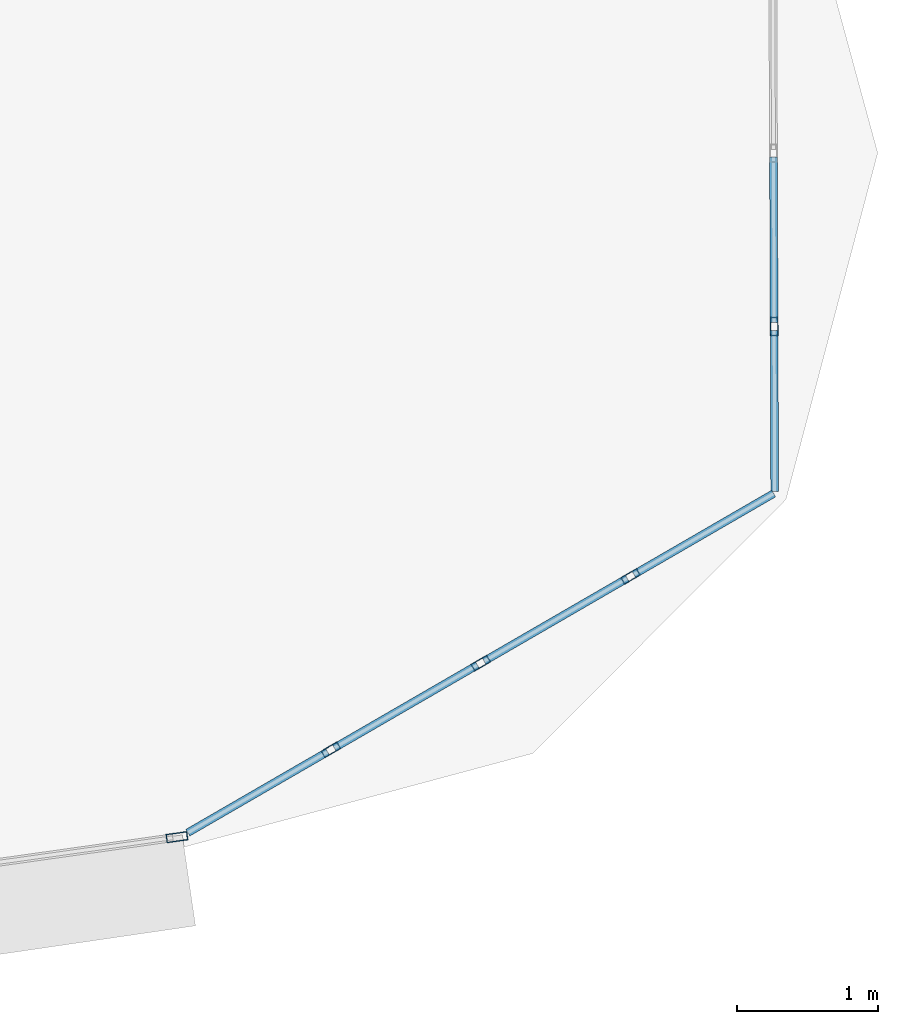
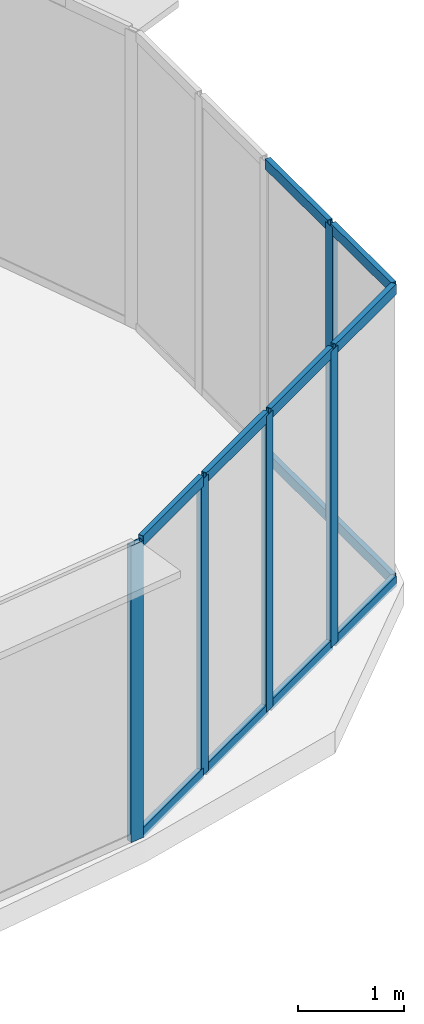
# One storey, part 24 of 42: 17 members, 3 elements without a shape of their own.
"""IFC4 building model written with IfcOpenShell, lengths in metres."""

from ifc_helpers import new_model, si_unit, direction, frame, origin, origin_2d, place, context, subcontext, project, spatial, hollow_rectangle, extrude, source, transform, mapped, material, layer, layer_set, material_profile, profile_set, type_object, element, aggregate, save


model = new_model("IFC4")

# Units and contexts
model_context = context("Model", 3, precision=1e-05, world=origin(), true_north=direction((0.0, 1.0)))
body_context = subcontext(model_context, "Body", "Model", "MODEL_VIEW")
ifc_project = project(units=[si_unit("LENGTHUNIT", "METRE"), si_unit("AREAUNIT", "SQUARE_METRE"), si_unit("VOLUMEUNIT", "CUBIC_METRE"), si_unit("PLANEANGLEUNIT", "RADIAN"), si_unit("MASSUNIT", "GRAM", prefix="KILO"), si_unit("THERMODYNAMICTEMPERATUREUNIT", "KELVIN"), si_unit("POWERUNIT", "WATT")], contexts=[model_context])

# Site, building, storey
site_placement = place(None, origin())
site = spatial("IfcSite", under=ifc_project, at=site_placement, CompositionType="ELEMENT")
building_placement = place(site_placement, origin())
building = spatial("IfcBuilding", under=site, at=building_placement, Name="Yunzhuo Pagoda Commons", CompositionType="ELEMENT")
storey_placement = place(building_placement, frame((0.0, 0.0, 151.909912109375)))
storey = spatial("IfcBuildingStorey", under=building, at=storey_placement, Name="L38", CompositionType="ELEMENT", Elevation=151.909912109375)

# Curtain wall, member
ifc_material = material(Name="Anodized aluminium 6063-T6", Category="aluminium")
ifc_layer_1 = layer(ifc_material, 0.14990234375)
ifc_layer_set_1 = layer_set([ifc_layer_1], Name="Anodized aluminium 6063-T6")
curtain_wall_type_1 = type_object("IfcCurtainWallType", Name="CW-MID Mid-Zone Ribbon Curtain Wall", PredefinedType="NOTDEFINED", material=ifc_layer_set_1)
curtain_wall_1_placement = place(storey_placement, origin())
curtain_wall_1 = element("IfcCurtainWall", 1, at=curtain_wall_1_placement, inside=storey, type_object=curtain_wall_type_1, Name="L38 curtain wall CW-L38-F1B5", PredefinedType="NOTDEFINED")
ifc_material_profile_1 = material_profile(ifc_material, hollow_rectangle(XDim=0.06005859375, YDim=0.14990234375, WallThickness=0.00390625, at=origin_2d()), Name="Anodized aluminium 6063-T6")
ifc_profile_set_1 = profile_set([ifc_material_profile_1], Name="Anodized aluminium 6063-T6")
member_type_1 = type_object("IfcMemberType", Name="CW-MID-M Mullion RHS 150x60x4", PredefinedType="MULLION", material=ifc_profile_set_1)
shared_shape_1 = source(origin(), body_context, "Body", "SweptSolid", [
    extrude(hollow_rectangle(XDim=0.06005859375, YDim=0.14990234375, WallThickness=0.00390625, at=origin_2d()), origin(), (0.0, 0.0, 1.0), 3.420166015625),
])
member_1_placement = place(storey_placement, frame((83.2685546875, 16.718994140625, 0.0), z_axis=(0.0, 0.0, 1.0), x_axis=(-0.13962976996, 0.990203780714, 0.0)))
member_1 = element("IfcMember", 2, at=member_1_placement, type_object=member_type_1, Name="CW mullion 2", PredefinedType="MULLION", context=body_context, shape_type="MappedRepresentation", body=[
    mapped(shared_shape_1, transform((0.0, 0.0, 0.0), scale=1.0)),
])
aggregate(curtain_wall_1, [member_1])

# Curtain wall, members
ifc_layer_2 = layer(ifc_material, 0.1298828125)
ifc_layer_set_2 = layer_set([ifc_layer_2], Name="Anodized aluminium 6063-T6")
curtain_wall_type_2 = type_object("IfcCurtainWallType", Name="CW-VTX Rounded Corner Curtain Wall", PredefinedType="NOTDEFINED", material=ifc_layer_set_2)
curtain_wall_2_placement = place(storey_placement, origin())
curtain_wall_2 = element("IfcCurtainWall", 3, at=curtain_wall_2_placement, inside=storey, type_object=curtain_wall_type_2, Name="L38 curtain wall CW-L38-VTX2S1", PredefinedType="NOTDEFINED")
ifc_material_profile_2 = material_profile(ifc_material, hollow_rectangle(XDim=0.054931640625, YDim=0.1298828125, WallThickness=0.00341796875, at=origin_2d()), Name="Anodized aluminium 6063-T6")
ifc_profile_set_2 = profile_set([ifc_material_profile_2], Name="Anodized aluminium 6063-T6")
member_type_2 = type_object("IfcMemberType", Name="CW-VTX-M Mullion RHS 130x55x3.5", PredefinedType="MULLION", material=ifc_profile_set_2)
shared_shape_2 = source(origin(), body_context, "Body", "SweptSolid", [
    extrude(hollow_rectangle(XDim=0.054931640625, YDim=0.1298828125, WallThickness=0.00341796875, at=origin_2d()), origin(), (0.0, 0.0, 1.0), 3.420166015625),
])
member_2_placement = place(storey_placement, frame((84.357666015625, 17.336669921875, 0.0), z_axis=(0.0, 0.0, 1.0), x_axis=(-0.501034660762, 0.865427217457, 0.0)))
member_2 = element("IfcMember", 4, at=member_2_placement, type_object=member_type_2, Name="CW mullion 2", PredefinedType="MULLION", context=body_context, shape_type="MappedRepresentation", body=[
    mapped(shared_shape_2, transform((0.0, 0.0, 0.0), scale=1.0)),
])
member_3_placement = place(storey_placement, frame((85.417236328125, 17.949951171875, 0.0), z_axis=(0.0, 0.0, 1.0), x_axis=(-0.501034660762, 0.865427217457, 0.0)))
member_3 = element("IfcMember", 5, at=member_3_placement, type_object=member_type_2, Name="CW mullion 3", PredefinedType="MULLION", context=body_context, shape_type="MappedRepresentation", body=[
    mapped(shared_shape_2, transform((0.0, 0.0, 0.0), scale=1.0)),
])
member_4_placement = place(storey_placement, frame((86.476806640625, 18.5634765625, 0.0), z_axis=(0.0, 0.0, 1.0), x_axis=(-0.501034660762, 0.865427217457, 0.0)))
member_4 = element("IfcMember", 6, at=member_4_placement, type_object=member_type_2, Name="CW mullion 4", PredefinedType="MULLION", context=body_context, shape_type="MappedRepresentation", body=[
    mapped(shared_shape_2, transform((0.0, 0.0, 0.0), scale=1.0)),
])

# Curtain wall, member
curtain_wall_3_placement = place(storey_placement, origin())
curtain_wall_3 = element("IfcCurtainWall", 7, at=curtain_wall_3_placement, inside=storey, type_object=curtain_wall_type_2, Name="L38 curtain wall CW-L38-VTX2S2", PredefinedType="NOTDEFINED")
member_5_placement = place(storey_placement, frame((87.492431640625, 20.331787109375, 0.0), z_axis=(0.0, 0.0, 1.0), x_axis=(-0.999993542566, -0.00359372042, 0.0)))
member_5 = element("IfcMember", 8, at=member_5_placement, type_object=member_type_2, Name="CW mullion 2", PredefinedType="MULLION", context=body_context, shape_type="MappedRepresentation", body=[
    mapped(shared_shape_2, transform((0.0, 0.0, 0.0), scale=1.0)),
])

# Member
ifc_material_profile_3 = material_profile(ifc_material, hollow_rectangle(XDim=0.054931640625, YDim=0.1201171875, WallThickness=0.00341796875, at=origin_2d()), Name="Anodized aluminium 6063-T6")
ifc_profile_set_3 = profile_set([ifc_material_profile_3], Name="Anodized aluminium 6063-T6")
member_type_3 = type_object("IfcMemberType", Name="CW-VTX-T Transom RHS 120x55x3.5", PredefinedType="USERDEFINED", material=ifc_profile_set_3)
shared_shape_3 = source(origin(), body_context, "Body", "SweptSolid", [
    extrude(hollow_rectangle(XDim=0.054931640625, YDim=0.1201171875, WallThickness=0.00341796875, at=origin_2d()), origin(), (0.0, 0.0, 1.0), 1.141845703125),
])
member_6_placement = place(storey_placement, frame((83.345703125, 16.750732421875, 0.027587890625), z_axis=(0.865479953388, 0.500943559977, 0.0), x_axis=(-0.500943559977, 0.865479953388, 0.0)))
member_6 = element("IfcMember", 9, at=member_6_placement, type_object=member_type_3, Name="CW transom 1.1", ObjectType="TRANSOM", PredefinedType="USERDEFINED", context=body_context, shape_type="MappedRepresentation", body=[
    mapped(shared_shape_3, transform((0.0, 0.0, 0.0), scale=1.0)),
])

member_7_placement = place(storey_placement, frame((83.345703125, 16.750732421875, 3.392578125), z_axis=(0.865479953388, 0.500943559977, 0.0), x_axis=(-0.500943559977, 0.865479953388, 0.0)))
member_7 = element("IfcMember", 10, at=member_7_placement, type_object=member_type_3, Name="CW transom 1.2", ObjectType="TRANSOM", PredefinedType="USERDEFINED", context=body_context, shape_type="MappedRepresentation", body=[
    mapped(shared_shape_3, transform((0.0, 0.0, 0.0), scale=1.0)),
])

shared_shape_4 = source(origin(), body_context, "Body", "SweptSolid", [
    extrude(hollow_rectangle(XDim=0.054931640625, YDim=0.1201171875, WallThickness=0.00341796875, at=origin_2d()), origin(), (0.0, 0.0, 1.0), 1.16943359375),
])
member_8_placement = place(storey_placement, frame((84.381591796875, 17.350341796875, 0.027587890625), z_axis=(0.865402460801, 0.501077420005, 0.0), x_axis=(-0.501077420005, 0.865402460801, 0.0)))
member_8 = element("IfcMember", 11, at=member_8_placement, type_object=member_type_3, Name="CW transom 2.1", ObjectType="TRANSOM", PredefinedType="USERDEFINED", context=body_context, shape_type="MappedRepresentation", body=[
    mapped(shared_shape_4, transform((0.0, 0.0, 0.0), scale=1.0)),
])

member_9_placement = place(storey_placement, frame((84.381591796875, 17.350341796875, 3.392578125), z_axis=(0.865402460801, 0.501077420005, 0.0), x_axis=(-0.501077420005, 0.865402460801, 0.0)))
member_9 = element("IfcMember", 12, at=member_9_placement, type_object=member_type_3, Name="CW transom 2.2", ObjectType="TRANSOM", PredefinedType="USERDEFINED", context=body_context, shape_type="MappedRepresentation", body=[
    mapped(shared_shape_4, transform((0.0, 0.0, 0.0), scale=1.0)),
])

member_10_placement = place(storey_placement, frame((85.441162109375, 17.9638671875, 0.027587890625), z_axis=(0.865402460801, 0.501077420005, 0.0), x_axis=(-0.501077420005, 0.865402460801, 0.0)))
member_10 = element("IfcMember", 13, at=member_10_placement, type_object=member_type_3, Name="CW transom 3.1", ObjectType="TRANSOM", PredefinedType="USERDEFINED", context=body_context, shape_type="MappedRepresentation", body=[
    mapped(shared_shape_4, transform((0.0, 0.0, 0.0), scale=1.0)),
])

member_11_placement = place(storey_placement, frame((85.441162109375, 17.9638671875, 3.392578125), z_axis=(0.865402460801, 0.501077420005, 0.0), x_axis=(-0.501077420005, 0.865402460801, 0.0)))
member_11 = element("IfcMember", 14, at=member_11_placement, type_object=member_type_3, Name="CW transom 3.2", ObjectType="TRANSOM", PredefinedType="USERDEFINED", context=body_context, shape_type="MappedRepresentation", body=[
    mapped(shared_shape_4, transform((0.0, 0.0, 0.0), scale=1.0)),
])

shared_shape_5 = source(origin(), body_context, "Body", "SweptSolid", [
    extrude(hollow_rectangle(XDim=0.054931640625, YDim=0.1201171875, WallThickness=0.00341796875, at=origin_2d()), origin(), (0.0, 0.0, 1.0), 1.169677734375),
])
member_12_placement = place(storey_placement, frame((87.492431640625, 20.359130859375, 0.027587890625), z_axis=(-0.003965737965, 0.99999213643, 0.0), x_axis=(-0.99999213643, -0.003965737965, 0.0)))
member_12 = element("IfcMember", 15, at=member_12_placement, type_object=member_type_3, Name="CW transom 2.1", ObjectType="TRANSOM", PredefinedType="USERDEFINED", context=body_context, shape_type="MappedRepresentation", body=[
    mapped(shared_shape_5, transform((0.0, 0.0, 0.0), scale=1.0)),
])

member_13_placement = place(storey_placement, frame((87.492431640625, 20.359130859375, 3.392578125), z_axis=(-0.003965737965, 0.99999213643, 0.0), x_axis=(-0.99999213643, -0.003965737965, 0.0)))
member_13 = element("IfcMember", 16, at=member_13_placement, type_object=member_type_3, Name="CW transom 2.2", ObjectType="TRANSOM", PredefinedType="USERDEFINED", context=body_context, shape_type="MappedRepresentation", body=[
    mapped(shared_shape_5, transform((0.0, 0.0, 0.0), scale=1.0)),
])

shared_shape_6 = source(origin(), body_context, "Body", "SweptSolid", [
    extrude(hollow_rectangle(XDim=0.054931640625, YDim=0.1201171875, WallThickness=0.00341796875, at=origin_2d()), origin(), (0.0, 0.0, 1.0), 1.1416015625),
])
member_14_placement = place(storey_placement, frame((87.496337890625, 19.16259765625, 0.027587890625), z_axis=(-0.003421707942, 0.99999414594, 0.0), x_axis=(-0.99999414594, -0.003421707942, 0.0)))
member_14 = element("IfcMember", 17, at=member_14_placement, type_object=member_type_3, Name="CW transom 1.1", ObjectType="TRANSOM", PredefinedType="USERDEFINED", context=body_context, shape_type="MappedRepresentation", body=[
    mapped(shared_shape_6, transform((0.0, 0.0, 0.0), scale=1.0)),
])

member_15_placement = place(storey_placement, frame((87.496337890625, 19.16259765625, 3.392578125), z_axis=(-0.003421707942, 0.99999414594, 0.0), x_axis=(-0.99999414594, -0.003421707942, 0.0)))
member_15 = element("IfcMember", 18, at=member_15_placement, type_object=member_type_3, Name="CW transom 1.2", ObjectType="TRANSOM", PredefinedType="USERDEFINED", context=body_context, shape_type="MappedRepresentation", body=[
    mapped(shared_shape_6, transform((0.0, 0.0, 0.0), scale=1.0)),
])

aggregate(curtain_wall_3, [member_5, member_14, member_15, member_12, member_13])

shared_shape_7 = source(origin(), body_context, "Body", "SweptSolid", [
    extrude(hollow_rectangle(XDim=0.054931640625, YDim=0.1201171875, WallThickness=0.00341796875, at=origin_2d()), origin(), (0.0, 0.0, 1.0), 1.14208984375),
])
member_16_placement = place(storey_placement, frame((86.500732421875, 18.5771484375, 0.027587890625), z_axis=(0.86538725222, 0.501103685574, 0.0), x_axis=(-0.501103685574, 0.86538725222, 0.0)))
member_16 = element("IfcMember", 19, at=member_16_placement, type_object=member_type_3, Name="CW transom 4.1", ObjectType="TRANSOM", PredefinedType="USERDEFINED", context=body_context, shape_type="MappedRepresentation", body=[
    mapped(shared_shape_7, transform((0.0, 0.0, 0.0), scale=1.0)),
])

member_17_placement = place(storey_placement, frame((86.500732421875, 18.5771484375, 3.392578125), z_axis=(0.86538725222, 0.501103685574, 0.0), x_axis=(-0.501103685574, 0.86538725222, 0.0)))
member_17 = element("IfcMember", 20, at=member_17_placement, type_object=member_type_3, Name="CW transom 4.2", ObjectType="TRANSOM", PredefinedType="USERDEFINED", context=body_context, shape_type="MappedRepresentation", body=[
    mapped(shared_shape_7, transform((0.0, 0.0, 0.0), scale=1.0)),
])

aggregate(curtain_wall_2, [member_2, member_3, member_4, member_6, member_7, member_8, member_9, member_10, member_11, member_16, member_17])

save(model, "model.ifc")
